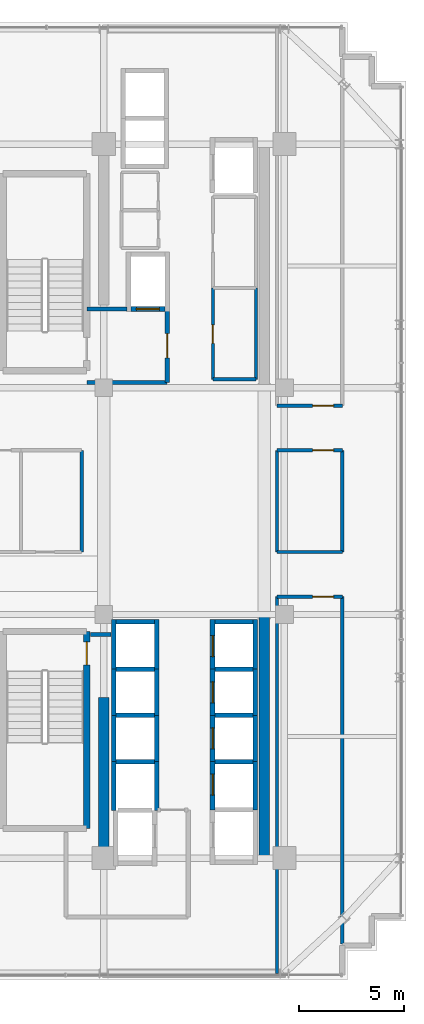
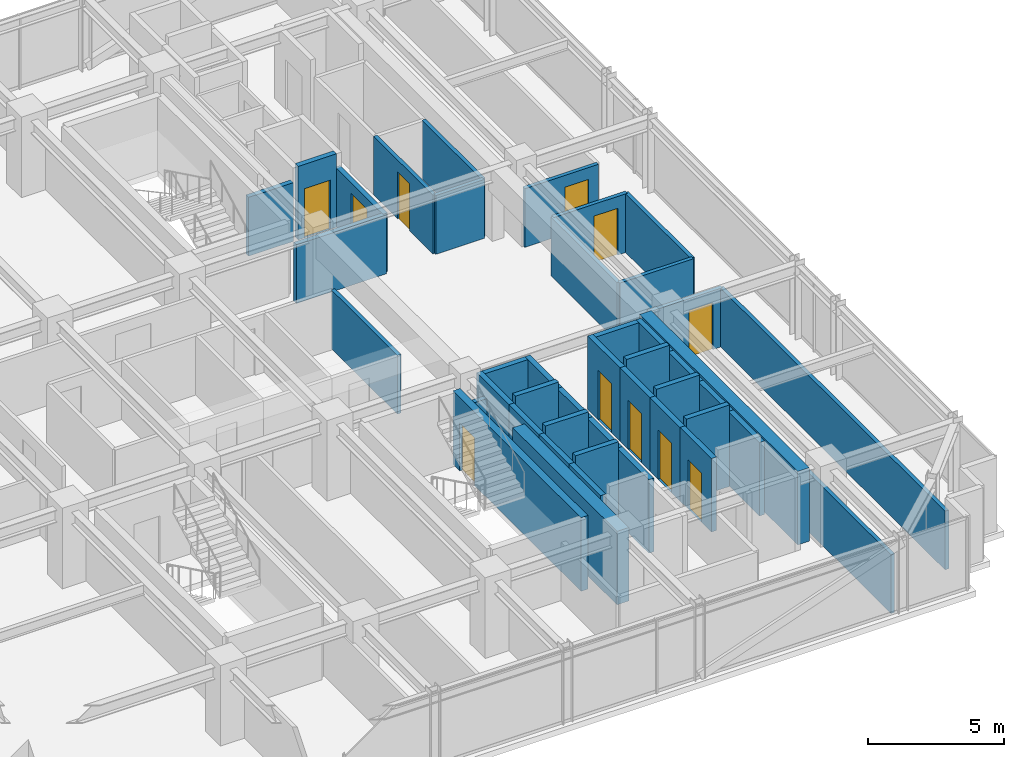
# One storey, part 27 of 32: 44 walls, 11 doors, 11 openings.
"""IFC4 building model written with IfcOpenShell, lengths in metres."""

from ifc_helpers import new_model, si_unit, direction, frame, frame_2d, origin, place, context, subcontext, project, spatial, rectangle, extrude, source, transform, mapped, material, layer, layer_set, type_object, element, fill, save


model = new_model("IFC4")

# Units and contexts
model_context = context("Model", 3, precision=1e-05, world=origin(), true_north=direction((0.0, 1.0)))
body_context = subcontext(model_context, "Body", "Model", "MODEL_VIEW")
ifc_project = project(units=[si_unit("LENGTHUNIT", "METRE"), si_unit("AREAUNIT", "SQUARE_METRE"), si_unit("VOLUMEUNIT", "CUBIC_METRE"), si_unit("PLANEANGLEUNIT", "RADIAN"), si_unit("MASSUNIT", "GRAM", prefix="KILO")], contexts=[model_context])

# Site, building, storey
site_placement = place(None, origin())
site = spatial("IfcSite", under=ifc_project, at=site_placement, CompositionType="ELEMENT")
building_placement = place(site_placement, origin())
building = spatial("IfcBuilding", under=site, at=building_placement, Name="Nahalor Promenade Grand Hotel", CompositionType="ELEMENT")
storey_placement = place(building_placement, frame((0.0, 0.0, 196.449951171875)))
storey = spatial("IfcBuildingStorey", under=building, at=storey_placement, Name="L50", CompositionType="ELEMENT", Elevation=196.449951171875)

# Walls
ifc_material_1 = material(Name="Concrete B-60 (C50/60)", Category="concrete")
ifc_layer_1 = layer(ifc_material_1, 0.5)
ifc_layer_set_1 = layer_set([ifc_layer_1], Name="Concrete B-60 (C50/60)")
wall_type_1 = type_object("IfcWallType", Name="Wall-CoreShear-500", PredefinedType="SHEAR", material=ifc_layer_set_1)
shared_shape_1 = source(origin(), body_context, "Body", "SweptSolid", [
    extrude(rectangle(XDim=7.64990234375, YDim=0.5, at=frame_2d((3.824951171875, 0.0))), origin(), (0.0, 0.0, 1.0), 3.2900390625),
])
wall_1_placement = place(storey_placement, frame((8.39990234375, -17.0, 0.0), z_axis=(0.0, 0.0, 1.0), x_axis=(0.0, 1.0, 0.0)))
element("IfcWall", 1, at=wall_1_placement, inside=storey, type_object=wall_type_1, Name="CWALL-L50-SW", PredefinedType="SHEAR", context=body_context, shape_type="MappedRepresentation", body=[
    mapped(shared_shape_1, transform((0.0, 0.0, 0.0), scale=1.0)),
])
shared_shape_2 = source(origin(), body_context, "Body", "SweptSolid", [
    extrude(rectangle(XDim=11.60009765625, YDim=0.5, at=frame_2d((5.800048828125, 0.0))), origin(), (0.0, 0.0, 1.0), 3.2900390625),
])
wall_2_placement = place(storey_placement, frame((16.050048828125, -17.0, 0.0), z_axis=(0.0, 0.0, 1.0), x_axis=(0.0, 1.0, 0.0)))
element("IfcWall", 2, at=wall_2_placement, inside=storey, type_object=wall_type_1, Name="CWALL-L50-SE", PredefinedType="SHEAR", context=body_context, shape_type="MappedRepresentation", body=[
    mapped(shared_shape_2, transform((0.0, 0.0, 0.0), scale=1.0)),
])

# Wall, opening, door
ifc_material_2 = material(Name="Concrete B-50 (C40/50)", Category="concrete")
ifc_layer_2 = layer(ifc_material_2, 0.300048828125)
ifc_layer_set_2 = layer_set([ifc_layer_2], Name="Concrete B-50 (C40/50)")
wall_type_2 = type_object("IfcWallType", Name="Wall-ShaftShear-300", PredefinedType="SHEAR", material=ifc_layer_set_2)
shared_shape_3 = source(origin(), body_context, "Body", "SweptSolid", [
    extrude(rectangle(XDim=9.380126953125, YDim=0.300048828125, at=frame_2d((4.68994140625, 0.0))), origin(), (0.0, 0.0, 1.0), 3.2900390625),
])
wall_3_placement = place(storey_placement, frame((7.590087890625, -15.590087890625, 0.0), z_axis=(0.0, 0.0, 1.0), x_axis=(0.0, 1.0, 0.0)))
wall_3 = element("IfcWall", 3, at=wall_3_placement, inside=storey, type_object=wall_type_2, Name="L50 Exit Stair ST2 Shaft Wall E", PredefinedType="SHEAR", context=body_context, shape_type="MappedRepresentation", body=[
    mapped(shared_shape_3, transform((0.0, 0.0, 0.0), scale=1.0)),
])
opening_1_placement = place(wall_3_placement, frame((7.7900390625, 0.0, 0.0)))
opening_1 = element("IfcOpeningElement", 4, at=opening_1_placement, cuts=wall_3, Name="Opening D-ST1", PredefinedType="OPENING", context=body_context, shape_type="SweptSolid", body=[
    extrude(rectangle(XDim=1.10009765625, YDim=2.14990234375, at=frame_2d((0.550048828125, 1.074951171875))), frame((0.0, 0.159912109375, 0.0), z_axis=(0.0, -1.0, 0.0), x_axis=(1.0, 0.0, 0.0)), (0.0, 0.0, 1.0), 0.320068359375),
])
ifc_material_3 = material(Name="Steel S355JR", Category="steel")
door_type_1 = type_object("IfcDoorType", Name="Door-StairFire-1100", OperationType="NOTDEFINED", PredefinedType="DOOR", material=ifc_material_3)
shared_shape_4 = source(origin(), body_context, "Body", "SweptSolid", [
    extrude(rectangle(XDim=1.10009765625, YDim=2.14990234375, at=frame_2d((0.550048828125, 1.074951171875))), frame((0.0, 0.02490234375, 0.0), z_axis=(0.0, -1.0, 0.0), x_axis=(1.0, 0.0, 0.0)), (0.0, 0.0, 1.0), 0.050048828125),
])
door_1_placement = place(opening_1_placement, origin())
door_1 = element("IfcDoor", 5, at=door_1_placement, inside=storey, type_object=door_type_1, Name="DR-STAIR-ST2-L50", OperationType="SINGLE_SWING_LEFT", OverallHeight=2.14990234375, OverallWidth=1.10009765625, PredefinedType="DOOR", context=body_context, shape_type="MappedRepresentation", body=[
    mapped(shared_shape_4, transform((0.0, 0.0, 0.0), scale=1.0)),
])
fill(opening_1, door_1)

# Walls
ifc_layer_3 = layer(ifc_material_2, 0.219970703125)
ifc_layer_set_3 = layer_set([ifc_layer_3], Name="Concrete B-50 (C40/50)")
wall_type_3 = type_object("IfcWallType", Name="Wall-LiftShaft-220", PredefinedType="SHEAR", material=ifc_layer_set_3)
shared_shape_5 = source(origin(), body_context, "Body", "SweptSolid", [
    extrude(rectangle(XDim=1.820068359375, YDim=0.219970703125, at=frame_2d((0.91015625, 0.0))), origin(), (0.0, 0.0, 1.0), 3.650146484375),
])
for number, where, z_axis, x_axis, name in (
    (6, (13.68994140625, -8.0, 0.0), (0.0, 0.0, 1.0), (1.0, 0.0, 0.0), "L50 Lift PL6 Hoistway Wall N"),
    (7, (13.68994140625, -10.199951171875, 0.0), (0.0, 0.0, 1.0), (1.0, 0.0, 0.0), "L50 Lift PL7 Hoistway Wall N"),
    (8, (13.68994140625, -12.39990234375, 0.0), (0.0, 0.0, 1.0), (1.0, 0.0, 0.0), "L50 Lift PL8 Hoistway Wall N"),
    (9, (8.989990234375, -8.0, 0.0), (0.0, 0.0, 1.0), (1.0, 0.0, 0.0), "L50 Lift PL10 Hoistway Wall N"),
    (10, (8.989990234375, -10.199951171875, 0.0), (0.0, 0.0, 1.0), (1.0, 0.0, 0.0), "L50 Lift PL11 Hoistway Wall N"),
    (11, (8.989990234375, -12.39990234375, 0.0), (0.0, 0.0, 1.0), (1.0, 0.0, 0.0), "L50 Lift PL12 Hoistway Wall N"),
):
    element("IfcWall", number, at=place(storey_placement, frame(where, z_axis=z_axis, x_axis=x_axis)), inside=storey, type_object=wall_type_3, Name=name, PredefinedType="SHEAR", context=body_context, shape_type="MappedRepresentation", body=[
        mapped(shared_shape_5, transform((0.0, 0.0, 0.0), scale=1.0)),
    ])

# Wall, opening, door
shared_shape_6 = source(origin(), body_context, "Body", "SweptSolid", [
    extrude(rectangle(XDim=2.360107421875, YDim=0.219970703125, at=frame_2d((1.18017578125, 0.0))), origin(), (0.0, 0.0, 1.0), 3.2900390625),
])
wall_4_placement = place(storey_placement, frame((13.580078125, -8.0, 0.0), z_axis=(0.0, 0.0, 1.0), x_axis=(0.0, 1.0, 0.0)))
wall_4 = element("IfcWall", 12, at=wall_4_placement, inside=storey, type_object=wall_type_3, Name="L50 Lift PL5 Hoistway Wall W", PredefinedType="SHEAR", context=body_context, shape_type="MappedRepresentation", body=[
    mapped(shared_shape_6, transform((0.0, 0.0, 0.0), scale=1.0)),
])
opening_2_placement = place(wall_4_placement, frame((0.60009765625, 0.0, 0.0)))
opening_2 = element("IfcOpeningElement", 13, at=opening_2_placement, cuts=wall_4, Name="Opening LD-01", PredefinedType="OPENING", context=body_context, shape_type="SweptSolid", body=[
    extrude(rectangle(XDim=1.0, YDim=2.199951171875, at=frame_2d((0.5, 1.10009765625))), frame((0.0, 0.119873046875, 0.0), z_axis=(0.0, -1.0, 0.0), x_axis=(1.0, 0.0, 0.0)), (0.0, 0.0, 1.0), 0.239990234375),
])
door_type_2 = type_object("IfcDoorType", Name="Door-LiftLanding-1000", OperationType="DOUBLE_DOOR_SLIDING", PredefinedType="DOOR", material=ifc_material_3)
shared_shape_7 = source(origin(), body_context, "Body", "SweptSolid", [
    extrude(rectangle(XDim=1.0, YDim=2.199951171875, at=frame_2d((0.5, 1.10009765625))), frame((0.0, 0.02490234375, 0.0), z_axis=(0.0, -1.0, 0.0), x_axis=(1.0, 0.0, 0.0)), (0.0, 0.0, 1.0), 0.050048828125),
])
door_2_placement = place(opening_2_placement, origin())
door_2 = element("IfcDoor", 14, at=door_2_placement, inside=storey, type_object=door_type_2, Name="DR-LIFT-PL5-L50", OperationType="DOUBLE_DOOR_SLIDING", OverallHeight=2.199951171875, OverallWidth=1.0, PredefinedType="DOOR", context=body_context, shape_type="MappedRepresentation", body=[
    mapped(shared_shape_7, transform((0.0, 0.0, 0.0), scale=1.0)),
])
fill(opening_2, door_2)

# Walls
for number, where, z_axis, x_axis, name in (
    (15, (15.6201171875, -8.0, 0.0), (0.0, 0.0, 1.0), (0.0, 1.0, 0.0), "L50 Lift PL5 Hoistway Wall E"),
    (16, (8.8798828125, -8.0, 0.0), (0.0, 0.0, 1.0), (0.0, 1.0, 0.0), "L50 Lift PL9 Hoistway Wall W"),
    (17, (10.919921875, -8.0, 0.0), (0.0, 0.0, 1.0), (0.0, 1.0, 0.0), "L50 Lift PL9 Hoistway Wall E"),
):
    element("IfcWall", number, at=place(storey_placement, frame(where, z_axis=z_axis, x_axis=x_axis)), inside=storey, type_object=wall_type_3, Name=name, PredefinedType="SHEAR", context=body_context, shape_type="MappedRepresentation", body=[
        mapped(shared_shape_6, transform((0.0, 0.0, 0.0), scale=1.0)),
    ])
shared_shape_8 = source(origin(), body_context, "Body", "SweptSolid", [
    extrude(rectangle(XDim=1.820068359375, YDim=0.219970703125, at=frame_2d((0.91015625, 0.0))), origin(), (0.0, 0.0, 1.0), 3.2900390625),
])
for number, where, z_axis, x_axis, name in (
    (18, (13.68994140625, -5.75, 0.0), (0.0, 0.0, 1.0), (1.0, 0.0, 0.0), "L50 Lift PL5 Hoistway Wall N"),
    (19, (8.989990234375, -5.75, 0.0), (0.0, 0.0, 1.0), (1.0, 0.0, 0.0), "L50 Lift PL9 Hoistway Wall N"),
):
    element("IfcWall", number, at=place(storey_placement, frame(where, z_axis=z_axis, x_axis=x_axis)), inside=storey, type_object=wall_type_3, Name=name, PredefinedType="SHEAR", context=body_context, shape_type="MappedRepresentation", body=[
        mapped(shared_shape_8, transform((0.0, 0.0, 0.0), scale=1.0)),
    ])

# Wall, opening, door
shared_shape_9 = source(origin(), body_context, "Body", "SweptSolid", [
    extrude(rectangle(XDim=2.199951171875, YDim=0.219970703125, at=frame_2d((1.10009765625, 0.0))), origin(), (0.0, 0.0, 1.0), 3.2900390625),
])
wall_5_placement = place(storey_placement, frame((13.580078125, -10.199951171875, 0.0), z_axis=(0.0, 0.0, 1.0), x_axis=(0.0, 1.0, 0.0)))
wall_5 = element("IfcWall", 20, at=wall_5_placement, inside=storey, type_object=wall_type_3, Name="L50 Lift PL6 Hoistway Wall W", PredefinedType="SHEAR", context=body_context, shape_type="MappedRepresentation", body=[
    mapped(shared_shape_9, transform((0.0, 0.0, 0.0), scale=1.0)),
])
opening_3_placement = place(wall_5_placement, frame((0.60009765625, 0.0, 0.0)))
opening_3 = element("IfcOpeningElement", 21, at=opening_3_placement, cuts=wall_5, Name="Opening LD-01", PredefinedType="OPENING", context=body_context, shape_type="SweptSolid", body=[
    extrude(rectangle(XDim=1.0, YDim=2.199951171875, at=frame_2d((0.5, 1.10009765625))), frame((0.0, 0.119873046875, 0.0), z_axis=(0.0, -1.0, 0.0), x_axis=(1.0, 0.0, 0.0)), (0.0, 0.0, 1.0), 0.239990234375),
])
door_3_placement = place(opening_3_placement, origin())
door_3 = element("IfcDoor", 22, at=door_3_placement, inside=storey, type_object=door_type_2, Name="DR-LIFT-PL6-L50", OperationType="DOUBLE_DOOR_SLIDING", OverallHeight=2.199951171875, OverallWidth=1.0, PredefinedType="DOOR", context=body_context, shape_type="MappedRepresentation", body=[
    mapped(shared_shape_7, transform((0.0, 0.0, 0.0), scale=1.0)),
])
fill(opening_3, door_3)

# Wall
wall_6_placement = place(storey_placement, frame((15.6201171875, -10.199951171875, 0.0), z_axis=(0.0, 0.0, 1.0), x_axis=(0.0, 1.0, 0.0)))
element("IfcWall", 23, at=wall_6_placement, inside=storey, type_object=wall_type_3, Name="L50 Lift PL6 Hoistway Wall E", PredefinedType="SHEAR", context=body_context, shape_type="MappedRepresentation", body=[
    mapped(shared_shape_9, transform((0.0, 0.0, 0.0), scale=1.0)),
])

# Wall, opening, door
wall_7_placement = place(storey_placement, frame((13.580078125, -12.39990234375, 0.0), z_axis=(0.0, 0.0, 1.0), x_axis=(0.0, 1.0, 0.0)))
wall_7 = element("IfcWall", 24, at=wall_7_placement, inside=storey, type_object=wall_type_3, Name="L50 Lift PL7 Hoistway Wall W", PredefinedType="SHEAR", context=body_context, shape_type="MappedRepresentation", body=[
    mapped(shared_shape_9, transform((0.0, 0.0, 0.0), scale=1.0)),
])
opening_4_placement = place(wall_7_placement, frame((0.60009765625, 0.0, 0.0)))
opening_4 = element("IfcOpeningElement", 25, at=opening_4_placement, cuts=wall_7, Name="Opening LD-01", PredefinedType="OPENING", context=body_context, shape_type="SweptSolid", body=[
    extrude(rectangle(XDim=1.0, YDim=2.199951171875, at=frame_2d((0.5, 1.10009765625))), frame((0.0, 0.119873046875, 0.0), z_axis=(0.0, -1.0, 0.0), x_axis=(1.0, 0.0, 0.0)), (0.0, 0.0, 1.0), 0.239990234375),
])
door_4_placement = place(opening_4_placement, origin())
door_4 = element("IfcDoor", 26, at=door_4_placement, inside=storey, type_object=door_type_2, Name="DR-LIFT-PL7-L50", OperationType="DOUBLE_DOOR_SLIDING", OverallHeight=2.199951171875, OverallWidth=1.0, PredefinedType="DOOR", context=body_context, shape_type="MappedRepresentation", body=[
    mapped(shared_shape_7, transform((0.0, 0.0, 0.0), scale=1.0)),
])
fill(opening_4, door_4)

# Walls
for number, where, z_axis, x_axis, name in (
    (27, (15.6201171875, -12.39990234375, 0.0), (0.0, 0.0, 1.0), (0.0, 1.0, 0.0), "L50 Lift PL7 Hoistway Wall E"),
    (28, (8.8798828125, -10.199951171875, 0.0), (0.0, 0.0, 1.0), (0.0, 1.0, 0.0), "L50 Lift PL10 Hoistway Wall W"),
    (29, (10.919921875, -10.199951171875, 0.0), (0.0, 0.0, 1.0), (0.0, 1.0, 0.0), "L50 Lift PL10 Hoistway Wall E"),
    (30, (8.8798828125, -12.39990234375, 0.0), (0.0, 0.0, 1.0), (0.0, 1.0, 0.0), "L50 Lift PL11 Hoistway Wall W"),
    (31, (10.919921875, -12.39990234375, 0.0), (0.0, 0.0, 1.0), (0.0, 1.0, 0.0), "L50 Lift PL11 Hoistway Wall E"),
):
    element("IfcWall", number, at=place(storey_placement, frame(where, z_axis=z_axis, x_axis=x_axis)), inside=storey, type_object=wall_type_3, Name=name, PredefinedType="SHEAR", context=body_context, shape_type="MappedRepresentation", body=[
        mapped(shared_shape_9, transform((0.0, 0.0, 0.0), scale=1.0)),
    ])

# Wall, opening, door
shared_shape_10 = source(origin(), body_context, "Body", "SweptSolid", [
    extrude(rectangle(XDim=2.300048828125, YDim=0.219970703125, at=frame_2d((1.14990234375, 0.0))), origin(), (0.0, 0.0, 1.0), 3.2900390625),
])
wall_8_placement = place(storey_placement, frame((13.580078125, -14.699951171875, 0.0), z_axis=(0.0, 0.0, 1.0), x_axis=(0.0, 1.0, 0.0)))
wall_8 = element("IfcWall", 32, at=wall_8_placement, inside=storey, type_object=wall_type_3, Name="L50 Lift PL8 Hoistway Wall W", PredefinedType="SHEAR", context=body_context, shape_type="MappedRepresentation", body=[
    mapped(shared_shape_10, transform((0.0, 0.0, 0.0), scale=1.0)),
])
opening_5_placement = place(wall_8_placement, frame((0.699951171875, 0.0, 0.0)))
opening_5 = element("IfcOpeningElement", 33, at=opening_5_placement, cuts=wall_8, Name="Opening LD-01", PredefinedType="OPENING", context=body_context, shape_type="SweptSolid", body=[
    extrude(rectangle(XDim=1.0, YDim=2.199951171875, at=frame_2d((0.5, 1.10009765625))), frame((0.0, 0.119873046875, 0.0), z_axis=(0.0, -1.0, 0.0), x_axis=(1.0, 0.0, 0.0)), (0.0, 0.0, 1.0), 0.239990234375),
])
door_5_placement = place(opening_5_placement, origin())
door_5 = element("IfcDoor", 34, at=door_5_placement, inside=storey, type_object=door_type_2, Name="DR-LIFT-PL8-L50", OperationType="DOUBLE_DOOR_SLIDING", OverallHeight=2.199951171875, OverallWidth=1.0, PredefinedType="DOOR", context=body_context, shape_type="MappedRepresentation", body=[
    mapped(shared_shape_7, transform((0.0, 0.0, 0.0), scale=1.0)),
])
fill(opening_5, door_5)

# Walls
wall_9_placement = place(storey_placement, frame((15.6201171875, -14.699951171875, 0.0), z_axis=(0.0, 0.0, 1.0), x_axis=(0.0, 1.0, 0.0)))
element("IfcWall", 35, at=wall_9_placement, inside=storey, type_object=wall_type_3, Name="L50 Lift PL8 Hoistway Wall E", PredefinedType="SHEAR", context=body_context, shape_type="MappedRepresentation", body=[
    mapped(shared_shape_10, transform((0.0, 0.0, 0.0), scale=1.0)),
])
shared_shape_11 = source(origin(), body_context, "Body", "SweptSolid", [
    extrude(rectangle(XDim=2.3251953125, YDim=0.219970703125, at=frame_2d((1.16259765625, 0.0))), origin(), (0.0, 0.0, 1.0), 3.2900390625),
])
for number, where, z_axis, x_axis, name in (
    (36, (8.8798828125, -14.72509765625, 0.0), (0.0, 0.0, 1.0), (0.0, 1.0, 0.0), "L50 Lift PL12 Hoistway Wall W"),
    (37, (10.919921875, -14.72509765625, 0.0), (0.0, 0.0, 1.0), (0.0, 1.0, 0.0), "L50 Lift PL12 Hoistway Wall E"),
):
    element("IfcWall", number, at=place(storey_placement, frame(where, z_axis=z_axis, x_axis=x_axis)), inside=storey, type_object=wall_type_3, Name=name, PredefinedType="SHEAR", context=body_context, shape_type="MappedRepresentation", body=[
        mapped(shared_shape_11, transform((0.0, 0.0, 0.0), scale=1.0)),
    ])

# Wall, opening, door
shared_shape_12 = source(origin(), body_context, "Body", "SweptSolid", [
    extrude(rectangle(XDim=1.6201171875, YDim=0.219970703125, at=frame_2d((0.81005859375, 0.0))), origin(), (0.0, 0.0, 1.0), 3.2900390625),
])
wall_10_placement = place(storey_placement, frame((9.68994140625, 9.14990234375, 0.0), z_axis=(0.0, 0.0, 1.0), x_axis=(1.0, 0.0, 0.0)))
wall_10 = element("IfcWall", 38, at=wall_10_placement, inside=storey, type_object=wall_type_3, Name="L50 Lift FL1 Hoistway Wall S", PredefinedType="SHEAR", context=body_context, shape_type="MappedRepresentation", body=[
    mapped(shared_shape_12, transform((0.0, 0.0, 0.0), scale=1.0)),
])
opening_6_placement = place(wall_10_placement, frame((0.260009765625, 0.0, 0.0)))
opening_6 = element("IfcOpeningElement", 39, at=opening_6_placement, cuts=wall_10, Name="Opening LD-02", PredefinedType="OPENING", context=body_context, shape_type="SweptSolid", body=[
    extrude(rectangle(XDim=1.10009765625, YDim=2.199951171875, at=frame_2d((0.550048828125, 1.10009765625))), frame((0.0, 0.119873046875, 0.0), z_axis=(0.0, -1.0, 0.0), x_axis=(1.0, 0.0, 0.0)), (0.0, 0.0, 1.0), 0.239990234375),
])
door_type_3 = type_object("IfcDoorType", Name="Door-LiftFF-1100", OperationType="DOUBLE_DOOR_SLIDING", PredefinedType="DOOR", material=ifc_material_3)
shared_shape_13 = source(origin(), body_context, "Body", "SweptSolid", [
    extrude(rectangle(XDim=1.10009765625, YDim=2.199951171875, at=frame_2d((0.550048828125, 1.10009765625))), frame((0.0, 0.02490234375, 0.0), z_axis=(0.0, -1.0, 0.0), x_axis=(1.0, 0.0, 0.0)), (0.0, 0.0, 1.0), 0.050048828125),
])
door_6_placement = place(opening_6_placement, frame((1.10009765625, 0.0, 0.0), z_axis=(0.0, 0.0, 1.0), x_axis=(-1.0, 0.0, 0.0)))
door_6 = element("IfcDoor", 40, at=door_6_placement, inside=storey, type_object=door_type_3, Name="DR-LIFT-FL1-L50", OperationType="DOUBLE_DOOR_SLIDING", OverallHeight=2.199951171875, OverallWidth=1.10009765625, PredefinedType="DOOR", context=body_context, shape_type="MappedRepresentation", body=[
    mapped(shared_shape_13, transform((0.0, 0.0, 0.0), scale=1.0)),
])
fill(opening_6, door_6)

# Walls
ifc_material_4 = material(Name="Concrete B-40 (C32/40)", Category="concrete")
ifc_layer_4 = layer(ifc_material_4, 0.199951171875)
ifc_layer_set_4 = layer_set([ifc_layer_4], Name="Concrete B-40 (C32/40)")
wall_type_4 = type_object("IfcWallType", Name="Wall-PartFire-200", PredefinedType="PARTITIONING", material=ifc_layer_set_4)
shared_shape_14 = source(origin(), body_context, "Body", "SweptSolid", [
    extrude(rectangle(XDim=3.81982421875, YDim=0.199951171875, at=frame_2d((1.909912109375, 0.0))), origin(), (0.0, 0.0, 1.0), 2.630126953125),
])
wall_11_placement = place(storey_placement, frame((7.60009765625, 5.64990234375, 0.0), z_axis=(0.0, 0.0, 1.0), x_axis=(1.0, 0.0, 0.0)))
element("IfcWall", 41, at=wall_11_placement, inside=storey, type_object=wall_type_4, Name="W-L50-FF1-S", PredefinedType="PARTITIONING", context=body_context, shape_type="MappedRepresentation", body=[
    mapped(shared_shape_14, transform((0.0, 0.0, 0.0), scale=1.0)),
])
shared_shape_15 = source(origin(), body_context, "Body", "SweptSolid", [
    extrude(rectangle(XDim=1.89990234375, YDim=0.199951171875, at=frame_2d((0.949951171875, 0.0))), origin(), (0.0, 0.0, 1.0), 2.630126953125),
])
wall_12_placement = place(storey_placement, frame((7.60009765625, 9.14990234375, 0.0), z_axis=(0.0, 0.0, 1.0), x_axis=(1.0, 0.0, 0.0)))
element("IfcWall", 42, at=wall_12_placement, inside=storey, type_object=wall_type_4, Name="W-L50-FF1-N", PredefinedType="PARTITIONING", context=body_context, shape_type="MappedRepresentation", body=[
    mapped(shared_shape_15, transform((0.0, 0.0, 0.0), scale=1.0)),
])

# Wall, opening, door
shared_shape_16 = source(origin(), body_context, "Body", "SweptSolid", [
    extrude(rectangle(XDim=3.5, YDim=0.199951171875, at=frame_2d((1.75, 0.0))), origin(), (0.0, 0.0, 1.0), 2.630126953125),
])
wall_13_placement = place(storey_placement, frame((11.419921875, 5.64990234375, 0.0), z_axis=(0.0, 0.0, 1.0), x_axis=(0.0, 1.0, 0.0)))
wall_13 = element("IfcWall", 43, at=wall_13_placement, inside=storey, type_object=wall_type_4, Name="W-L50-FF1-E", PredefinedType="PARTITIONING", context=body_context, shape_type="MappedRepresentation", body=[
    mapped(shared_shape_16, transform((0.0, 0.0, 0.0), scale=1.0)),
])
opening_7_placement = place(wall_13_placement, frame((1.175048828125, 0.0, 0.0)))
opening_7 = element("IfcOpeningElement", 44, at=opening_7_placement, cuts=wall_13, Name="Opening D-FF1", PredefinedType="OPENING", context=body_context, shape_type="SweptSolid", body=[
    extrude(rectangle(XDim=1.14990234375, YDim=2.14990234375, at=frame_2d((0.574951171875, 1.074951171875))), frame((0.0, 0.10986328125, 0.0), z_axis=(0.0, -1.0, 0.0), x_axis=(1.0, 0.0, 0.0)), (0.0, 0.0, 1.0), 0.219970703125),
])
door_type_4 = type_object("IfcDoorType", Name="Door-FFLobby-1150", OperationType="NOTDEFINED", PredefinedType="DOOR", material=ifc_material_3)
shared_shape_17 = source(origin(), body_context, "Body", "SweptSolid", [
    extrude(rectangle(XDim=1.14990234375, YDim=2.14990234375, at=frame_2d((0.574951171875, 1.074951171875))), frame((0.0, 0.02490234375, 0.0), z_axis=(0.0, -1.0, 0.0), x_axis=(1.0, 0.0, 0.0)), (0.0, 0.0, 1.0), 0.050048828125),
])
door_7_placement = place(opening_7_placement, frame((1.14990234375, 0.0, 0.0), z_axis=(0.0, 0.0, 1.0), x_axis=(-1.0, 0.0, 0.0)))
door_7 = element("IfcDoor", 45, at=door_7_placement, inside=storey, type_object=door_type_4, Name="DR-L50-FFL1", OperationType="SINGLE_SWING_RIGHT", OverallHeight=2.14990234375, OverallWidth=1.14990234375, PredefinedType="DOOR", context=body_context, shape_type="MappedRepresentation", body=[
    mapped(shared_shape_17, transform((0.0, 0.0, 0.0), scale=1.0)),
])
fill(opening_7, door_7)

# Walls
shared_shape_18 = source(origin(), body_context, "Body", "SweptSolid", [
    extrude(rectangle(XDim=0.969970703125, YDim=0.199951171875, at=frame_2d((0.48486328125, 0.0))), origin(), (0.0, 0.0, 1.0), 2.630126953125),
])
wall_14_placement = place(storey_placement, frame((7.77001953125, -6.35009765625, 0.0), z_axis=(0.0, 0.0, 1.0), x_axis=(1.0, 0.0, 0.0)))
element("IfcWall", 46, at=wall_14_placement, inside=storey, type_object=wall_type_4, Name="W-L50-FF2-N2", PredefinedType="PARTITIONING", context=body_context, shape_type="MappedRepresentation", body=[
    mapped(shared_shape_18, transform((0.0, 0.0, 0.0), scale=1.0)),
])
ifc_material_5 = material(Name="Acoustic Mineral Gypsum", Category="gypsum")
ifc_layer_5 = layer(ifc_material_5, 0.159912109375)
ifc_layer_set_5 = layer_set([ifc_layer_5], Name="Acoustic Mineral Gypsum")
wall_type_5 = type_object("IfcWallType", Name="Wall-PartCorridor-160", PredefinedType="PARTITIONING", material=ifc_layer_set_5)
shared_shape_19 = source(origin(), body_context, "Body", "SweptSolid", [
    extrude(rectangle(XDim=2.0498046875, YDim=0.159912109375, at=frame_2d((1.02490234375, 0.0))), origin(), (0.0, 0.0, 1.0), 2.630126953125),
])
wall_15_placement = place(storey_placement, frame((13.60009765625, 5.800048828125, 0.0), z_axis=(0.0, 0.0, 1.0), x_axis=(1.0, 0.0, 0.0)))
element("IfcWall", 47, at=wall_15_placement, inside=storey, type_object=wall_type_5, Name="W-L50-FRB1A-S", PredefinedType="PARTITIONING", context=body_context, shape_type="MappedRepresentation", body=[
    mapped(shared_shape_19, transform((0.0, 0.0, 0.0), scale=1.0)),
])

# Wall, opening, door
shared_shape_20 = source(origin(), body_context, "Body", "SweptSolid", [
    extrude(rectangle(XDim=4.349853515625, YDim=0.159912109375, at=frame_2d((2.1748046875, 0.0))), origin(), (0.0, 0.0, 1.0), 2.630126953125),
])
wall_16_placement = place(storey_placement, frame((13.60009765625, 5.800048828125, 0.0), z_axis=(0.0, 0.0, 1.0), x_axis=(0.0, 1.0, 0.0)))
wall_16 = element("IfcWall", 48, at=wall_16_placement, inside=storey, type_object=wall_type_5, Name="W-L50-FRB1A-W", PredefinedType="PARTITIONING", context=body_context, shape_type="MappedRepresentation", body=[
    mapped(shared_shape_20, transform((0.0, 0.0, 0.0), scale=1.0)),
])
opening_8_placement = place(wall_16_placement, frame((1.7099609375, 0.0, 0.0)))
opening_8 = element("IfcOpeningElement", 49, at=opening_8_placement, cuts=wall_16, Name="Opening D-03", PredefinedType="OPENING", context=body_context, shape_type="SweptSolid", body=[
    extrude(rectangle(XDim=0.8798828125, YDim=2.10009765625, at=frame_2d((0.43994140625, 1.050048828125))), frame((0.0, 0.08984375, 0.0), z_axis=(0.0, -1.0, 0.0), x_axis=(1.0, 0.0, 0.0)), (0.0, 0.0, 1.0), 0.179931640625),
])
ifc_material_6 = material(Name="Fire-Rated Timber Composite", Category="wood")
door_type_5 = type_object("IfcDoorType", Name="Door-BathSwing-880", OperationType="NOTDEFINED", PredefinedType="DOOR", material=ifc_material_6)
shared_shape_21 = source(origin(), body_context, "Body", "SweptSolid", [
    extrude(rectangle(XDim=0.8798828125, YDim=2.10009765625, at=frame_2d((0.43994140625, 1.050048828125))), frame((0.0, 0.02490234375, 0.0), z_axis=(0.0, -1.0, 0.0), x_axis=(1.0, 0.0, 0.0)), (0.0, 0.0, 1.0), 0.050048828125),
])
door_8_placement = place(opening_8_placement, frame((0.8798828125, 0.0, 0.0), z_axis=(0.0, 0.0, 1.0), x_axis=(-1.0, 0.0, 0.0)))
door_8 = element("IfcDoor", 50, at=door_8_placement, inside=storey, type_object=door_type_5, Name="DR-L50-FRB1A", OperationType="SINGLE_SWING_RIGHT", OverallHeight=2.10009765625, OverallWidth=0.8798828125, PredefinedType="DOOR", context=body_context, shape_type="MappedRepresentation", body=[
    mapped(shared_shape_21, transform((0.0, 0.0, 0.0), scale=1.0)),
])
fill(opening_8, door_8)

# Wall
wall_17_placement = place(storey_placement, frame((15.64990234375, 5.800048828125, 0.0), z_axis=(0.0, 0.0, 1.0), x_axis=(0.0, 1.0, 0.0)))
element("IfcWall", 51, at=wall_17_placement, inside=storey, type_object=wall_type_5, Name="W-L50-FRB1A-E", PredefinedType="PARTITIONING", context=body_context, shape_type="MappedRepresentation", body=[
    mapped(shared_shape_20, transform((0.0, 0.0, 0.0), scale=1.0)),
])

# Wall, opening, door
shared_shape_22 = source(origin(), body_context, "Body", "SweptSolid", [
    extrude(rectangle(XDim=3.110107421875, YDim=0.159912109375, at=frame_2d((1.55517578125, 0.0))), origin(), (0.0, 0.0, 1.0), 2.630126953125),
])
wall_18_placement = place(storey_placement, frame((16.64990234375, 4.550048828125, 0.0), z_axis=(0.0, 0.0, 1.0), x_axis=(1.0, 0.0, 0.0)))
wall_18 = element("IfcWall", 52, at=wall_18_placement, inside=storey, type_object=wall_type_5, Name="W-L50-ENE-S", PredefinedType="PARTITIONING", context=body_context, shape_type="MappedRepresentation", body=[
    mapped(shared_shape_22, transform((0.0, 0.0, 0.0), scale=1.0)),
])
opening_9_placement = place(wall_18_placement, frame((1.700927734375, 0.0, 0.0)))
opening_9 = element("IfcOpeningElement", 53, at=opening_9_placement, cuts=wall_18, Name="Opening D-04", PredefinedType="OPENING", context=body_context, shape_type="SweptSolid", body=[
    extrude(rectangle(XDim=1.0, YDim=2.10009765625, at=frame_2d((0.5, 1.050048828125))), frame((0.0, 0.08984375, 0.0), z_axis=(0.0, -1.0, 0.0), x_axis=(1.0, 0.0, 0.0)), (0.0, 0.0, 1.0), 0.179931640625),
])
door_type_6 = type_object("IfcDoorType", Name="Door-ServiceFire-1000", OperationType="NOTDEFINED", PredefinedType="DOOR", material=ifc_material_3)
shared_shape_23 = source(origin(), body_context, "Body", "SweptSolid", [
    extrude(rectangle(XDim=1.0, YDim=2.10009765625, at=frame_2d((0.5, 1.050048828125))), frame((0.0, 0.02490234375, 0.0), z_axis=(0.0, -1.0, 0.0), x_axis=(1.0, 0.0, 0.0)), (0.0, 0.0, 1.0), 0.050048828125),
])
door_9_placement = place(opening_9_placement, origin())
door_9 = element("IfcDoor", 54, at=door_9_placement, inside=storey, type_object=door_type_6, Name="DR-L50-ENE", OperationType="SINGLE_SWING_RIGHT", OverallHeight=2.10009765625, OverallWidth=1.0, PredefinedType="DOOR", context=body_context, shape_type="MappedRepresentation", body=[
    mapped(shared_shape_23, transform((0.0, 0.0, 0.0), scale=1.0)),
])
fill(opening_9, door_9)

wall_19_placement = place(storey_placement, frame((16.64990234375, -4.550048828125, 0.0), z_axis=(0.0, 0.0, 1.0), x_axis=(1.0, 0.0, 0.0)))
wall_19 = element("IfcWall", 55, at=wall_19_placement, inside=storey, type_object=wall_type_5, Name="W-L50-ESE-N", PredefinedType="PARTITIONING", context=body_context, shape_type="MappedRepresentation", body=[
    mapped(shared_shape_22, transform((0.0, 0.0, 0.0), scale=1.0)),
])
opening_10_placement = place(wall_19_placement, frame((1.700927734375, 0.0, 0.0)))
opening_10 = element("IfcOpeningElement", 56, at=opening_10_placement, cuts=wall_19, Name="Opening D-04", PredefinedType="OPENING", context=body_context, shape_type="SweptSolid", body=[
    extrude(rectangle(XDim=1.0, YDim=2.10009765625, at=frame_2d((0.5, 1.050048828125))), frame((0.0, 0.08984375, 0.0), z_axis=(0.0, -1.0, 0.0), x_axis=(1.0, 0.0, 0.0)), (0.0, 0.0, 1.0), 0.179931640625),
])
door_10_placement = place(opening_10_placement, frame((1.0, 0.0, 0.0), z_axis=(0.0, 0.0, 1.0), x_axis=(-1.0, 0.0, 0.0)))
door_10 = element("IfcDoor", 57, at=door_10_placement, inside=storey, type_object=door_type_6, Name="DR-L50-ESE", OperationType="SINGLE_SWING_LEFT", OverallHeight=2.10009765625, OverallWidth=1.0, PredefinedType="DOOR", context=body_context, shape_type="MappedRepresentation", body=[
    mapped(shared_shape_23, transform((0.0, 0.0, 0.0), scale=1.0)),
])
fill(opening_10, door_10)

# Wall
wall_20_placement = place(storey_placement, frame((16.64990234375, -2.419921875, 0.0), z_axis=(0.0, 0.0, 1.0), x_axis=(1.0, 0.0, 0.0)))
element("IfcWall", 58, at=wall_20_placement, inside=storey, type_object=wall_type_5, Name="W-L50-ECW-S", PredefinedType="PARTITIONING", context=body_context, shape_type="MappedRepresentation", body=[
    mapped(shared_shape_22, transform((0.0, 0.0, 0.0), scale=1.0)),
])

# Wall, opening, door
wall_21_placement = place(storey_placement, frame((16.64990234375, 2.419921875, 0.0), z_axis=(0.0, 0.0, 1.0), x_axis=(1.0, 0.0, 0.0)))
wall_21 = element("IfcWall", 59, at=wall_21_placement, inside=storey, type_object=wall_type_5, Name="W-L50-ECW-N", PredefinedType="PARTITIONING", context=body_context, shape_type="MappedRepresentation", body=[
    mapped(shared_shape_22, transform((0.0, 0.0, 0.0), scale=1.0)),
])
opening_11_placement = place(wall_21_placement, frame((1.700927734375, 0.0, 0.0)))
opening_11 = element("IfcOpeningElement", 60, at=opening_11_placement, cuts=wall_21, Name="Opening D-04", PredefinedType="OPENING", context=body_context, shape_type="SweptSolid", body=[
    extrude(rectangle(XDim=1.0, YDim=2.10009765625, at=frame_2d((0.5, 1.050048828125))), frame((0.0, 0.08984375, 0.0), z_axis=(0.0, -1.0, 0.0), x_axis=(1.0, 0.0, 0.0)), (0.0, 0.0, 1.0), 0.179931640625),
])
door_11_placement = place(opening_11_placement, frame((1.0, 0.0, 0.0), z_axis=(0.0, 0.0, 1.0), x_axis=(-1.0, 0.0, 0.0)))
door_11 = element("IfcDoor", 61, at=door_11_placement, inside=storey, type_object=door_type_6, Name="DR-L50-ECW", OperationType="SINGLE_SWING_LEFT", OverallHeight=2.10009765625, OverallWidth=1.0, PredefinedType="DOOR", context=body_context, shape_type="MappedRepresentation", body=[
    mapped(shared_shape_23, transform((0.0, 0.0, 0.0), scale=1.0)),
])
fill(opening_11, door_11)

# Walls
shared_shape_24 = source(origin(), body_context, "Body", "SweptSolid", [
    extrude(rectangle(XDim=17.949951171875, YDim=0.159912109375, at=frame_2d((8.97509765625, 0.0))), origin(), (0.0, 0.0, 1.0), 2.630126953125),
])
wall_22_placement = place(storey_placement, frame((16.64990234375, -22.5, 0.0), z_axis=(0.0, 0.0, 1.0), x_axis=(0.0, 1.0, 0.0)))
element("IfcWall", 62, at=wall_22_placement, inside=storey, type_object=wall_type_5, Name="W-L50-ESE-W", PredefinedType="PARTITIONING", context=body_context, shape_type="MappedRepresentation", body=[
    mapped(shared_shape_24, transform((0.0, 0.0, 0.0), scale=1.0)),
])
shared_shape_25 = source(origin(), body_context, "Body", "SweptSolid", [
    extrude(rectangle(XDim=16.530029296875, YDim=0.159912109375, at=frame_2d((8.26513671875, 0.0))), origin(), (0.0, 0.0, 1.0), 2.630126953125),
])
wall_23_placement = place(storey_placement, frame((19.760009765625, -21.080078125, 0.0), z_axis=(0.0, 0.0, 1.0), x_axis=(0.0, 1.0, 0.0)))
element("IfcWall", 63, at=wall_23_placement, inside=storey, type_object=wall_type_5, Name="W-L50-ESE-E", PredefinedType="PARTITIONING", context=body_context, shape_type="MappedRepresentation", body=[
    mapped(shared_shape_25, transform((0.0, 0.0, 0.0), scale=1.0)),
])
shared_shape_26 = source(origin(), body_context, "Body", "SweptSolid", [
    extrude(rectangle(XDim=4.83984375, YDim=0.159912109375, at=frame_2d((2.419921875, 0.0))), origin(), (0.0, 0.0, 1.0), 2.630126953125),
])
for number, where, z_axis, x_axis, name in (
    (64, (7.35009765625, -2.419921875, 0.0), (0.0, 0.0, 1.0), (0.0, 1.0, 0.0), "W-L50-CM4-E"),
    (65, (16.64990234375, -2.419921875, 0.0), (0.0, 0.0, 1.0), (0.0, 1.0, 0.0), "W-L50-ECW-W"),
    (66, (19.760009765625, -2.419921875, 0.0), (0.0, 0.0, 1.0), (0.0, 1.0, 0.0), "W-L50-ECW-E"),
):
    element("IfcWall", number, at=place(storey_placement, frame(where, z_axis=z_axis, x_axis=x_axis)), inside=storey, type_object=wall_type_5, Name=name, PredefinedType="PARTITIONING", context=body_context, shape_type="MappedRepresentation", body=[
        mapped(shared_shape_26, transform((0.0, 0.0, 0.0), scale=1.0)),
    ])

save(model, "model.ifc")
